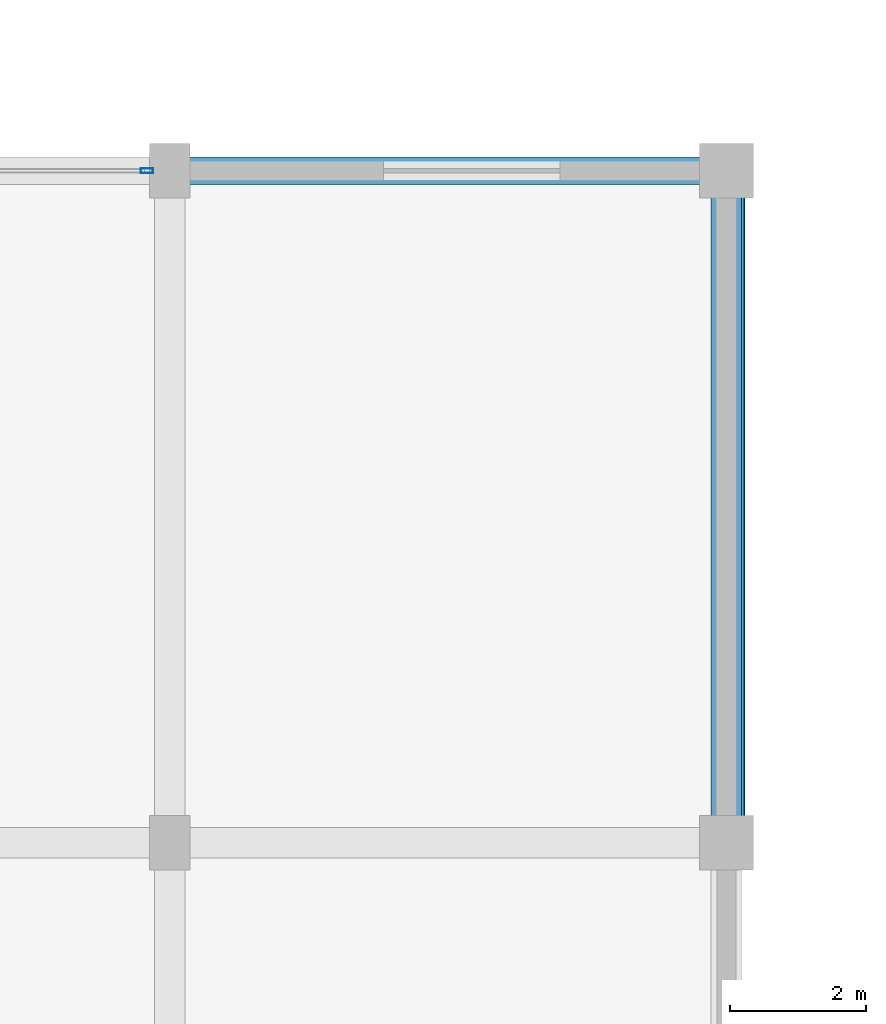
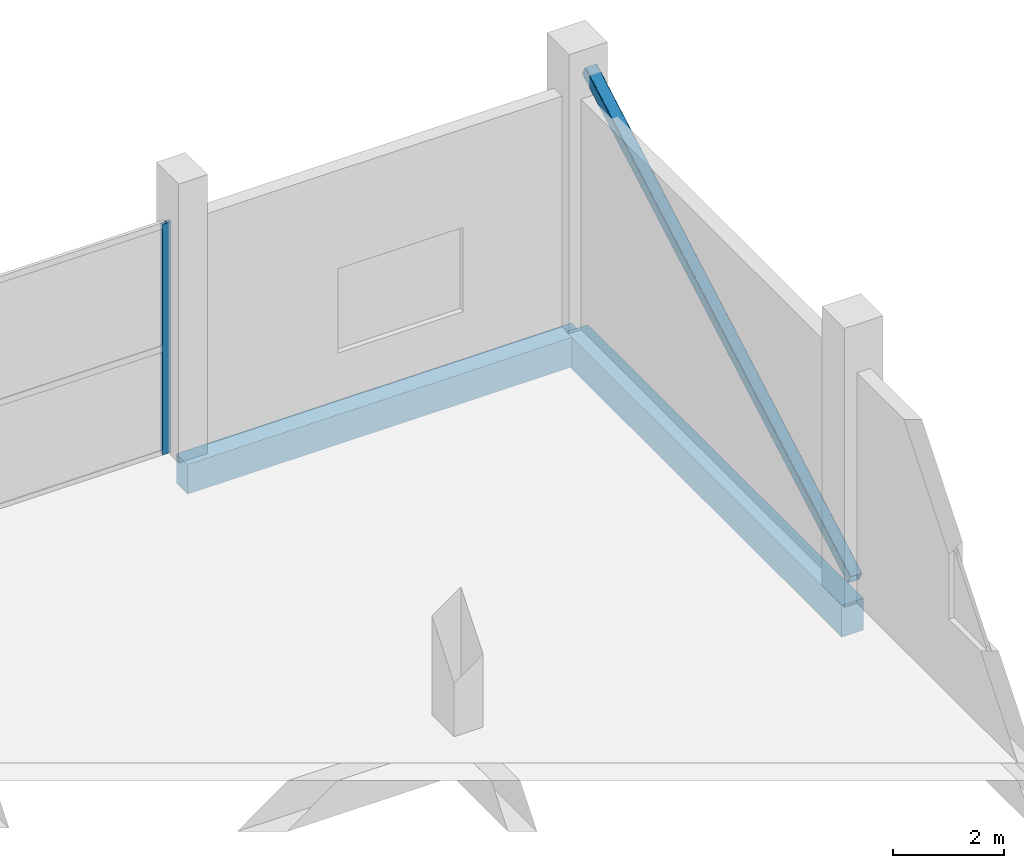
# One storey, part 34 of 58: 2 beams, 2 members, 1 element without a shape of its own.
"""IFC4 building model written with IfcOpenShell, lengths in metres."""

import ifcopenshell
import ifcopenshell.guid

model = None  # the IFC model being written
_history = None  # IfcOwnerHistory: only IFC2X3 demands one
_inside = {}  # id of a spatial element -> (the spatial element, [elements in it])
_under = {}  # id of a project, library or spatial element -> (it, [spatial elements below it])
_declared = {}  # id of a project -> (the project, [libraries it declares])
_typed = {}  # id of a type object -> (the type object, [elements of that type])
_made_of = {}  # id of a material, layer set ... -> (it, [elements and type objects made of it])


def new_model(schema):
    """Start an empty IFC model of exactly this schema.

    Asked for "IFC4X3", IfcOpenShell would pick the latest addendum, in which some entities
    have other attributes; the version numbers below select the first issue.
    IFC2X3 requires an IfcOwnerHistory on every rooted entity: one is made here for all.
    """
    global model, _history
    if schema == "IFC4X3":
        model = ifcopenshell.file(schema_version=(4, 3, 0, 0))
    else:
        model = ifcopenshell.file(schema=schema)
    _inside.clear()
    _under.clear()
    _declared.clear()
    _typed.clear()
    _made_of.clear()
    _history = None
    if model.schema == "IFC2X3":
        org = make("IfcOrganization", Name="unknown")
        user = make(
            "IfcPersonAndOrganization",
            ThePerson=make("IfcPerson", FamilyName="unknown"),
            TheOrganization=org,
        )
        app = make(
            "IfcApplication",
            ApplicationDeveloper=org,
            Version="unknown",
            ApplicationFullName="unknown",
            ApplicationIdentifier="unknown",
        )
        _history = make(
            "IfcOwnerHistory",
            OwningUser=user,
            OwningApplication=app,
            ChangeAction="ADDED",
            CreationDate=0,
        )
    return model


def make(cls, **values):
    """One entity of the class cls with the attributes given. An attribute that is None is left unset."""
    return model.create_entity(
        cls, **{name: value for name, value in values.items() if value is not None}
    )


def rooted(cls, **values):
    """An entity with a GlobalId (a new one), such as an element, a storey or a relation."""
    return make(cls, GlobalId=ifcopenshell.guid.new(), OwnerHistory=_history, **values)


def si_unit(unit_type, name, prefix=None):
    """IfcSIUnit, for example si_unit("LENGTHUNIT", "METRE", prefix="MILLI")."""
    return make("IfcSIUnit", UnitType=unit_type, Prefix=prefix, Name=name)


def assignment(units):
    """IfcUnitAssignment: the units of a project."""
    return None if units is None else make("IfcUnitAssignment", Units=units)


def point(xyz):
    """IfcCartesianPoint."""
    return None if xyz is None else make("IfcCartesianPoint", Coordinates=xyz)


def direction(xyz):
    """IfcDirection."""
    return None if xyz is None else make("IfcDirection", DirectionRatios=xyz)


def frame(location, z_axis=None, x_axis=None):
    """IfcAxis2Placement3D, a coordinate frame: its origin and axes. An axis left out is left unset."""
    return make(
        "IfcAxis2Placement3D",
        Location=point(location),
        Axis=direction(z_axis),
        RefDirection=direction(x_axis),
    )


def frame_2d(location, x_axis=None):
    """IfcAxis2Placement2D, a coordinate frame in the plane: its origin and x axis."""
    return make(
        "IfcAxis2Placement2D", Location=point(location), RefDirection=direction(x_axis)
    )


def origin():
    """The frame at (0, 0, 0) with its axes left unset."""
    return frame((0.0, 0.0, 0.0))


def origin_2d():
    """The frame at (0, 0) in the plane with its x axis left unset."""
    return frame_2d((0.0, 0.0))


def place(relative_to, where):
    """IfcLocalPlacement: puts the frame where relative to a parent placement (None: the world)."""
    return make(
        "IfcLocalPlacement", PlacementRelTo=relative_to, RelativePlacement=where
    )


def context(
    kind, dimensions, precision=None, world=None, true_north=None, identifier=None
):
    """IfcGeometricRepresentationContext, for example the 3D "Model" context."""
    return make(
        "IfcGeometricRepresentationContext",
        ContextIdentifier=identifier,
        ContextType=kind,
        CoordinateSpaceDimension=dimensions,
        Precision=precision,
        WorldCoordinateSystem=world,
        TrueNorth=true_north,
    )


def subcontext(parent, identifier, kind, view, scale=None):
    """IfcGeometricRepresentationSubContext, for example "Body" below "Model"."""
    return make(
        "IfcGeometricRepresentationSubContext",
        ContextIdentifier=identifier,
        ContextType=kind,
        ParentContext=parent,
        TargetScale=scale,
        TargetView=view,
    )


def project(units=None, contexts=None):
    """IfcProject with its units and contexts."""
    return rooted(
        "IfcProject",
        Name="project",
        RepresentationContexts=contexts,
        UnitsInContext=assignment(units),
    )


def spatial(cls, under=None, at=None, **own):
    """A site, building, storey or space (cls), placed at a placement, below another one or the project."""
    s = rooted(cls, ObjectPlacement=at, **own)
    if under is not None:
        _under.setdefault(under.id(), (under, []))[1].append(s)
    return s


def profile(cls, at=None, kind="AREA", **sizes):
    """A parametric profile (cls). Its sizes go by their IFC names, for example OverallWidth=200.0."""
    return make(cls, ProfileType=kind, Position=at, **sizes)


def rectangle(**sizes):
    """IfcRectangleProfileDef."""
    return profile("IfcRectangleProfileDef", **sizes)


def hollow_rectangle(**sizes):
    """IfcRectangleHollowProfileDef."""
    return profile("IfcRectangleHollowProfileDef", **sizes)


def extrude(swept, where, along, depth):
    """IfcExtrudedAreaSolid: the profile swept, set in the frame where, extruded along a direction by depth."""
    return make(
        "IfcExtrudedAreaSolid",
        SweptArea=swept,
        Position=where,
        ExtrudedDirection=direction(along),
        Depth=depth,
    )


def shape(context_of_items, identifier, shape_type, items):
    """IfcShapeRepresentation: the items that make up one representation, for example the "Body"."""
    return make(
        "IfcShapeRepresentation",
        ContextOfItems=context_of_items,
        RepresentationIdentifier=identifier,
        RepresentationType=shape_type,
        Items=items,
    )


def material(Name=None, Category=None):
    """IfcMaterial."""
    return make("IfcMaterial", Name=Name, Category=Category)


def layer(
    of_material, thickness, ventilated=None, Name=None, Category=None, Priority=None
):
    """IfcMaterialLayer: one layer of a wall or slab, of a material (None: an air gap)."""
    return make(
        "IfcMaterialLayer",
        Material=of_material,
        LayerThickness=thickness,
        IsVentilated=ventilated,
        Name=Name,
        Category=Category,
        Priority=Priority,
    )


def layer_set(layers, Name=None):
    """IfcMaterialLayerSet."""
    return make("IfcMaterialLayerSet", MaterialLayers=layers, LayerSetName=Name)


def material_profile(
    of_material, cross_section, Name=None, Category=None, Priority=None
):
    """IfcMaterialProfile: a cross section and its material."""
    return make(
        "IfcMaterialProfile",
        Name=Name,
        Material=of_material,
        Profile=cross_section,
        Priority=Priority,
        Category=Category,
    )


def profile_set(profiles, Name=None, composite=None):
    """IfcMaterialProfileSet."""
    return make(
        "IfcMaterialProfileSet",
        Name=Name,
        MaterialProfiles=profiles,
        CompositeProfile=composite,
    )


def made_of(thing, what):
    """Note that an element or type object is made of a material, layer set ...; save() writes the relation."""
    if what is not None:
        _made_of.setdefault(what.id(), (what, []))[1].append(thing)
    return thing


def type_object(cls, material=None, **own):
    """A type object (cls), such as IfcWallType, which elements share."""
    return made_of(rooted(cls, **own), material)


def element(
    cls,
    number,
    at=None,
    inside=None,
    cuts=None,
    type_object=None,
    material=None,
    context=None,
    identifier="Body",
    shape_type=None,
    held_by="IfcProductDefinitionShape",
    body=None,
    shapes=None,
    **own,
):
    """One element of the class cls, such as IfcWall. Its Tag is "e" and its number.

    at: its placement. inside: the storey or other place that contains it. cuts: it is an
    opening in that element (IfcRelVoidsElement). A single representation is given by context,
    identifier, shape_type and body (its items); several are given by shapes. held_by: the class
    of the entity that holds the representations. save() writes the other relations.
    """
    e = rooted(cls, Tag="e%d" % number, ObjectPlacement=at, **own)
    if body is not None:
        shapes = [shape(context, identifier, shape_type, body)]
    if shapes is not None:
        e.Representation = make(held_by, Representations=shapes)
    if inside is not None:
        _inside.setdefault(inside.id(), (inside, []))[1].append(e)
    if cuts is not None:
        rooted(
            "IfcRelVoidsElement", RelatingBuildingElement=cuts, RelatedOpeningElement=e
        )
    if type_object is not None:
        _typed.setdefault(type_object.id(), (type_object, []))[1].append(e)
    return made_of(e, material)


def aggregate(whole, parts):
    """IfcRelAggregates: a whole, such as a stair, and the parts it consists of."""
    return rooted("IfcRelAggregates", RelatingObject=whole, RelatedObjects=parts)


def save(model, path):
    """Write the relations noted so far, then the file.

    IfcRelAggregates (storeys below a building ...), IfcRelContainedInSpatialStructure (elements
    in a storey), IfcRelDefinesByType, IfcRelAssociatesMaterial and IfcRelDeclares: one each for
    every whole, place, type object, material and project.
    """
    for whole, parts in _under.values():
        aggregate(whole, parts)
    for where, things in _inside.values():
        rooted(
            "IfcRelContainedInSpatialStructure",
            RelatedElements=things,
            RelatingStructure=where,
        )
    for kind, things in _typed.values():
        rooted("IfcRelDefinesByType", RelatedObjects=things, RelatingType=kind)
    for what, things in _made_of.values():
        rooted("IfcRelAssociatesMaterial", RelatedObjects=things, RelatingMaterial=what)
    for by, libraries in _declared.values():
        rooted("IfcRelDeclares", RelatingContext=by, RelatedDefinitions=libraries)
    model.write(path)


model = new_model("IFC4")

# Units and contexts
model_context = context("Model", 3, precision=1e-05, world=origin(), true_north=direction((0.0, 1.0)))
body_context = subcontext(model_context, "Body", "Model", "MODEL_VIEW")
ifc_project = project(units=[si_unit("LENGTHUNIT", "METRE"), si_unit("AREAUNIT", "SQUARE_METRE"), si_unit("VOLUMEUNIT", "CUBIC_METRE"), si_unit("PLANEANGLEUNIT", "RADIAN"), si_unit("MASSUNIT", "GRAM", prefix="KILO")], contexts=[model_context])

# Site, building, storey
site_placement = place(None, origin())
site = spatial("IfcSite", under=ifc_project, at=site_placement, CompositionType="ELEMENT")
building_placement = place(site_placement, origin())
building = spatial("IfcBuilding", under=site, at=building_placement, Name="Sillaruma Civic Art Gallery", CompositionType="ELEMENT")
storey_placement = place(building_placement, frame((0.0, 0.0, 22.43994140625)))
storey = spatial("IfcBuildingStorey", under=building, at=storey_placement, Name="L04", CompositionType="ELEMENT", Elevation=22.43994140625)

# Beams
ifc_material_1 = material(Name="Concrete H35 (35 MPa)", Category="concrete")
ifc_material_profile_1 = material_profile(ifc_material_1, rectangle(XDim=0.39990234375, YDim=0.64990234375, at=origin_2d()), Name="RCB400x650")
ifc_profile_set_1 = profile_set([ifc_material_profile_1], Name="Concrete H35 (35 MPa)")
beam_type_1 = type_object("IfcBeamType", Name="BM-SPANDREL-RCB400x650", PredefinedType="SPANDREL", material=ifc_profile_set_1)
beam_1_placement = place(storey_placement, frame((106.199951171875, 99.0, -0.5849609375), z_axis=(1.0, 0.0, 0.0), x_axis=(0.0, 1.0, 0.0)))
element("IfcBeam", 1, at=beam_1_placement, inside=storey, type_object=beam_type_1, Name="Beam BS-02 (L03:11:M-N)", PredefinedType="SPANDREL", context=body_context, shape_type="SweptSolid", body=[
    extrude(rectangle(XDim=0.39990234375, YDim=0.64990234375, at=origin_2d()), origin(), (0.0, 0.0, 1.0), 8.199951171875),
])
ifc_material_profile_2 = material_profile(ifc_material_1, rectangle(XDim=0.449951171875, YDim=0.699951171875, at=origin_2d()), Name="RCB450x700")
ifc_profile_set_2 = profile_set([ifc_material_profile_2], Name="Concrete H35 (35 MPa)")
beam_type_2 = type_object("IfcBeamType", Name="BM-SPANDREL-RCB450x700", PredefinedType="SPANDREL", material=ifc_profile_set_2)
beam_2_placement = place(storey_placement, frame((114.39990234375, 89.10009765625, -0.60986328125), z_axis=(0.0, 1.0, 0.0), x_axis=(-1.0, 0.0, 0.0)))
element("IfcBeam", 2, at=beam_2_placement, inside=storey, type_object=beam_type_2, Name="Beam BS-03 (L03:N:10-11)", PredefinedType="SPANDREL", context=body_context, shape_type="SweptSolid", body=[
    extrude(rectangle(XDim=0.449951171875, YDim=0.699951171875, at=origin_2d()), origin(), (0.0, 0.0, 1.0), 9.89990234375),
])

# Member
ifc_material_2 = material(Name="Structural Steel ASTM A500 Gr.C", Category="steel")
ifc_material_profile_3 = material_profile(ifc_material_2, hollow_rectangle(XDim=0.25, YDim=0.25, WallThickness=0.012451171875, InnerFilletRadius=0.012451171875, OuterFilletRadius=0.02490234375, at=origin_2d()), Name="HSS250x250x12.5")
ifc_profile_set_3 = profile_set([ifc_material_profile_3], Name="Structural Steel ASTM A500 Gr.C")
member_type_1 = type_object("IfcMemberType", Name="MEM-MEGA-BRACE", PredefinedType="BRACE", material=ifc_profile_set_3)
member_1_placement = place(storey_placement, frame((114.550048828125, 89.280029296875, 0.10009765625), z_axis=(0.0, 0.87065287391, 0.491897929607), x_axis=(-1.0, 0.0, 0.0)))
element("IfcMember", 3, at=member_1_placement, inside=storey, type_object=member_type_1, Name="Exterior Expressed Gallery Seismic Diagonal Brace (L04-EN)", PredefinedType="BRACE", context=body_context, shape_type="SweptSolid", body=[
    extrude(hollow_rectangle(XDim=0.25, YDim=0.25, WallThickness=0.012451171875, InnerFilletRadius=0.012451171875, OuterFilletRadius=0.02490234375, at=origin_2d()), origin(), (0.0, 0.0, 1.0), 10.957275390625),
])

# Curtain wall, member
ifc_material_3 = material(Name="Thermally Broken Extruded Aluminium 6063-T6", Category="aluminium")
ifc_layer = layer(ifc_material_3, 0.179931640625, Name="Thermally Broken Extruded Aluminium 6063-T6")
ifc_layer_set = layer_set([ifc_layer], Name="Thermally Broken Extruded Aluminium 6063-T6")
curtain_wall_type = type_object("IfcCurtainWallType", Name="CW-UNI-27", PredefinedType="NOTDEFINED", material=ifc_layer_set)
curtain_wall_placement = place(storey_placement, origin())
curtain_wall = element("IfcCurtainWall", 4, at=curtain_wall_placement, inside=storey, type_object=curtain_wall_type, Name="Unitised Curtain Wall CW-27 (CW-L04-N-6)", PredefinedType="NOTDEFINED")
ifc_material_profile_4 = material_profile(ifc_material_3, hollow_rectangle(XDim=0.070068359375, YDim=0.179931640625, WallThickness=0.00390625, at=origin_2d()), Name="CWM70x180")
ifc_profile_set_4 = profile_set([ifc_material_profile_4], Name="Thermally Broken Extruded Aluminium 6063-T6")
member_type_2 = type_object("IfcMemberType", Name="MEM-MUL-CWM70x180", PredefinedType="MULLION", material=ifc_profile_set_4)
member_2_placement = place(storey_placement, frame((105.864990234375, 99.0, 0.0), z_axis=(0.0, 0.0, 1.0), x_axis=(0.0, 1.0, 0.0)))
member_2 = element("IfcMember", 5, at=member_2_placement, type_object=member_type_2, Name="CW-27 mullion 3", PredefinedType="MULLION", context=body_context, shape_type="SweptSolid", body=[
    extrude(hollow_rectangle(XDim=0.070068359375, YDim=0.179931640625, WallThickness=0.00390625, at=origin_2d()), origin(), (0.0, 0.0, 1.0), 5.06005859375),
])
aggregate(curtain_wall, [member_2])

save(model, "model.ifc")
